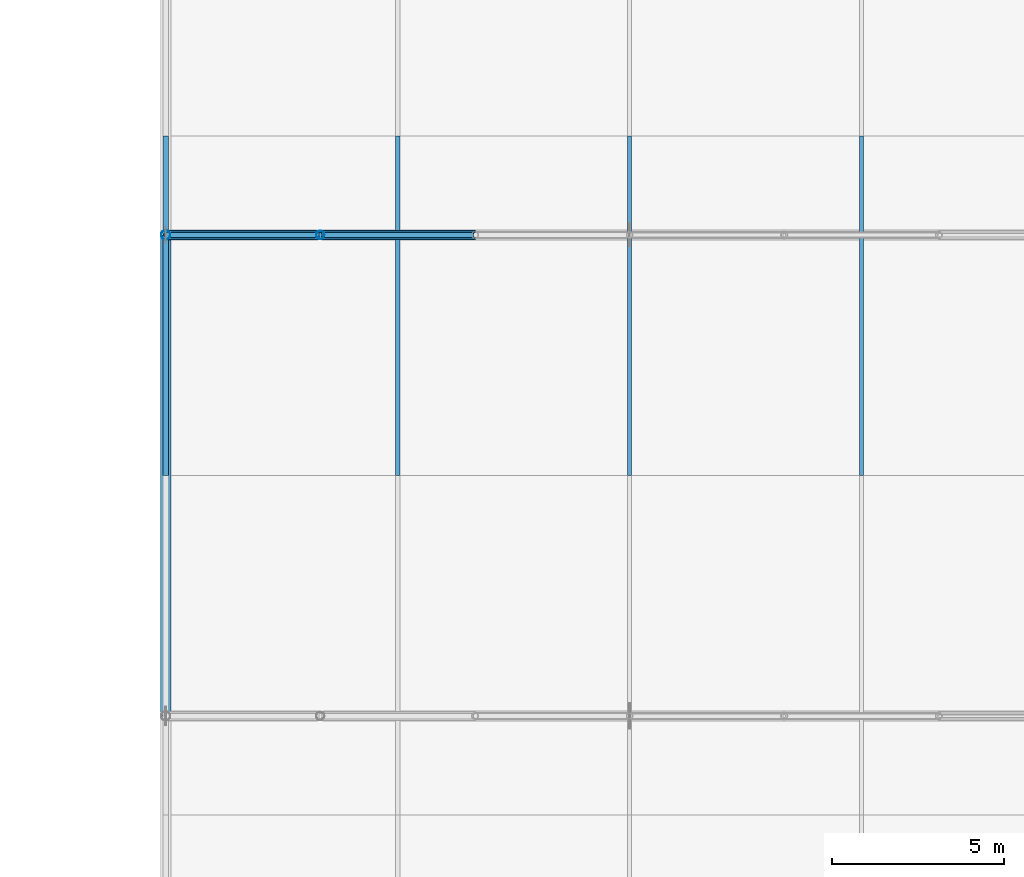
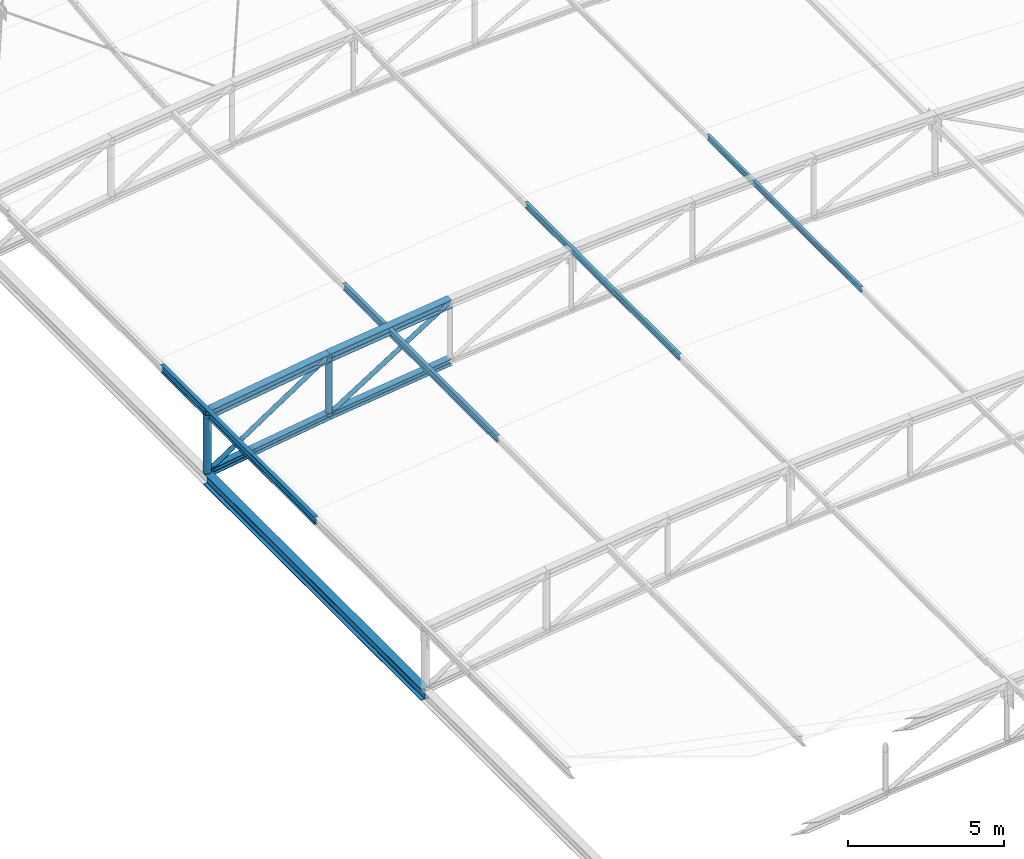
# One storey, part 162 of 262: 12 members, 1 beam.
"""IFC4 building model written with IfcOpenShell, lengths in metres."""

from ifc_helpers import new_model, si_unit, derived_unit, direction, frame, origin, origin_2d, place, context, subcontext, project, spatial, hollow_circle, i_section, extrude, material, material_profile, profile_set, type_object, element, save


model = new_model("IFC4")

# Units and contexts
model_context = context("Model", 3, precision=1e-05, world=origin(), true_north=direction((0.0, 1.0)))
body_context = subcontext(model_context, "Body", "Model", "MODEL_VIEW")
ifc_project = project(units=[si_unit("LENGTHUNIT", "METRE"), si_unit("AREAUNIT", "SQUARE_METRE"), si_unit("VOLUMEUNIT", "CUBIC_METRE"), si_unit("PLANEANGLEUNIT", "RADIAN"), si_unit("MASSUNIT", "GRAM", prefix="KILO"), derived_unit("THERMALTRANSMITTANCEUNIT", [(si_unit("POWERUNIT", "WATT"), 1), (si_unit("LENGTHUNIT", "METRE"), -2), (si_unit("THERMODYNAMICTEMPERATUREUNIT", "KELVIN"), -1)])], contexts=[model_context])

# Site, building, storey
site_placement = place(None, origin())
site = spatial("IfcSite", under=ifc_project, at=site_placement, CompositionType="ELEMENT")
building_placement = place(site_placement, origin())
building = spatial("IfcBuilding", under=site, at=building_placement, Name="Almenara Railside Exhibition Hall", CompositionType="ELEMENT")
storey_placement = place(building_placement, frame((0.0, 0.0, 21.699951171875)))
storey = spatial("IfcBuildingStorey", under=building, at=storey_placement, Name="RF", CompositionType="ELEMENT", Elevation=21.699951171875)

# Members
ifc_material = material(Name="Structural steel S355JR", Category="steel")
ifc_material_profile_1 = material_profile(ifc_material, i_section(OverallWidth=0.260009765625, OverallDepth=0.260009765625, WebThickness=0.010009765625, FlangeThickness=0.017578125, FilletRadius=0.02392578125, at=origin_2d()), Name="HEB 260")
ifc_profile_set_1 = profile_set([ifc_material_profile_1], Name="Structural steel S355JR")
member_type_1 = type_object("IfcMemberType", Name="Arched Truss Bottom Chord HEB 260 S355JR", PredefinedType="CHORD", material=ifc_profile_set_1)
member_1_placement = place(storey_placement, frame((138.0, 90.0, -9.599853515625), z_axis=(0.9890290442, 0.0, 0.147721189165), x_axis=(0.0, 1.0, 0.0)))
element("IfcMember", 1, at=member_1_placement, inside=storey, type_object=member_type_1, Name="MEM-BC-V2-04-00", PredefinedType="CHORD", context=body_context, shape_type="SweptSolid", body=[
    extrude(i_section(OverallWidth=0.260009765625, OverallDepth=0.260009765625, WebThickness=0.010009765625, FlangeThickness=0.017578125, FilletRadius=0.02392578125, at=origin_2d()), origin(), (0.0, 0.0, 1.0), 4.5498046875),
])
member_2_placement = place(storey_placement, frame((142.5, 90.0, -8.927734375), z_axis=(0.992612220818, 0.0, 0.121330041965), x_axis=(0.0, 1.0, 0.0)))
element("IfcMember", 2, at=member_2_placement, inside=storey, type_object=member_type_1, Name="MEM-BC-V2-04-01", PredefinedType="CHORD", context=body_context, shape_type="SweptSolid", body=[
    extrude(i_section(OverallWidth=0.260009765625, OverallDepth=0.260009765625, WebThickness=0.010009765625, FlangeThickness=0.017578125, FilletRadius=0.02392578125, at=origin_2d()), origin(), (0.0, 0.0, 1.0), 4.533447265625),
])
ifc_material_profile_2 = material_profile(ifc_material, i_section(OverallWidth=0.300048828125, OverallDepth=0.320068359375, WebThickness=0.011474609375, FlangeThickness=0.0205078125, FilletRadius=0.027099609375, at=origin_2d()), Name="HEB 320")
ifc_profile_set_2 = profile_set([ifc_material_profile_2], Name="Structural steel S355JR")
member_type_2 = type_object("IfcMemberType", Name="Arched Truss Top Chord HEB 320 S355JR", PredefinedType="CHORD", material=ifc_profile_set_2)
member_3_placement = place(storey_placement, frame((138.0, 90.0, -7.300048828125), z_axis=(0.989021203369, 0.0, 0.147773675894), x_axis=(0.0, 1.0, 0.0)))
element("IfcMember", 3, at=member_3_placement, inside=storey, type_object=member_type_2, Name="MEM-TC-V2-04-00", PredefinedType="CHORD", context=body_context, shape_type="SweptSolid", body=[
    extrude(i_section(OverallWidth=0.300048828125, OverallDepth=0.320068359375, WebThickness=0.011474609375, FlangeThickness=0.0205078125, FilletRadius=0.027099609375, at=origin_2d()), origin(), (0.0, 0.0, 1.0), 4.550048828125),
])
member_4_placement = place(storey_placement, frame((142.5, 90.0, -6.627685546875), z_axis=(0.992612220818, 0.0, 0.121330041965), x_axis=(0.0, 1.0, 0.0)))
element("IfcMember", 4, at=member_4_placement, inside=storey, type_object=member_type_2, Name="MEM-TC-V2-04-01", PredefinedType="CHORD", context=body_context, shape_type="SweptSolid", body=[
    extrude(i_section(OverallWidth=0.300048828125, OverallDepth=0.320068359375, WebThickness=0.011474609375, FlangeThickness=0.0205078125, FilletRadius=0.027099609375, at=origin_2d()), origin(), (0.0, 0.0, 1.0), 4.533447265625),
])
ifc_material_profile_3 = material_profile(ifc_material, i_section(OverallWidth=0.14990234375, OverallDepth=0.300048828125, WebThickness=0.007080078125, FlangeThickness=0.0107421875, FilletRadius=0.014892578125, at=origin_2d()), Name="IPE 300")
ifc_profile_set_3 = profile_set([ifc_material_profile_3], Name="Structural steel S355JR")
member_type_3 = type_object("IfcMemberType", Name="East Hall Ridge Purlin IPE 300 S355JR", PredefinedType="PURLIN", material=ifc_profile_set_3)
member_5_placement = place(storey_placement, frame((138.0, 83.0, -7.269775390625), z_axis=(0.0, 1.0, 0.0), x_axis=(-1.0, 0.0, 0.0)))
element("IfcMember", 5, at=member_5_placement, inside=storey, type_object=member_type_3, Name="MEM-PR-V2-PR-IPE300-00-14", PredefinedType="PURLIN", context=body_context, shape_type="SweptSolid", body=[
    extrude(i_section(OverallWidth=0.14990234375, OverallDepth=0.300048828125, WebThickness=0.007080078125, FlangeThickness=0.0107421875, FilletRadius=0.014892578125, at=origin_2d()), origin(), (0.0, 0.0, 1.0), 9.8798828125),
])
ifc_material_profile_4 = material_profile(ifc_material, i_section(OverallWidth=0.135009765625, OverallDepth=0.27001953125, WebThickness=0.006591796875, FlangeThickness=0.01025390625, FilletRadius=0.014892578125, at=origin_2d()), Name="IPE 270")
ifc_profile_set_4 = profile_set([ifc_material_profile_4], Name="Structural steel S355JR")
member_type_4 = type_object("IfcMemberType", Name="East Hall Standard Purlin IPE 270 S355JR", PredefinedType="PURLIN", material=ifc_profile_set_4)
member_6_placement = place(storey_placement, frame((144.75, 83.0, -6.425537109375), z_axis=(0.0, 1.0, 0.0), x_axis=(-1.0, 0.0, 0.0)))
element("IfcMember", 6, at=member_6_placement, inside=storey, type_object=member_type_4, Name="MEM-PR-V2-PR-IPE270-01-14", PredefinedType="PURLIN", context=body_context, shape_type="SweptSolid", body=[
    extrude(i_section(OverallWidth=0.135009765625, OverallDepth=0.27001953125, WebThickness=0.006591796875, FlangeThickness=0.01025390625, FilletRadius=0.014892578125, at=origin_2d()), origin(), (0.0, 0.0, 1.0), 9.8798828125),
])
ifc_material_profile_5 = material_profile(ifc_material, i_section(OverallWidth=0.110107421875, OverallDepth=0.219970703125, WebThickness=0.005859375, FlangeThickness=0.00927734375, FilletRadius=0.011962890625, at=origin_2d()), Name="IPE 220")
ifc_profile_set_5 = profile_set([ifc_material_profile_5], Name="Structural steel S355JR")
member_type_5 = type_object("IfcMemberType", Name="Heavy Hall Roof Purlin IPE 220 S355JR", PredefinedType="PURLIN", material=ifc_profile_set_5)
member_7_placement = place(storey_placement, frame((158.25, 83.0, -5.294677734375), z_axis=(0.0, 1.0, 0.0), x_axis=(-1.0, 0.0, 0.0)))
element("IfcMember", 7, at=member_7_placement, inside=storey, type_object=member_type_5, Name="MEM-PR-V2-PR-IPE220-03-14", PredefinedType="PURLIN", context=body_context, shape_type="SweptSolid", body=[
    extrude(i_section(OverallWidth=0.110107421875, OverallDepth=0.219970703125, WebThickness=0.005859375, FlangeThickness=0.00927734375, FilletRadius=0.011962890625, at=origin_2d()), origin(), (0.0, 0.0, 1.0), 9.8798828125),
])
ifc_material_profile_6 = material_profile(ifc_material, i_section(OverallWidth=0.1201171875, OverallDepth=0.239990234375, WebThickness=0.006103515625, FlangeThickness=0.009765625, FilletRadius=0.014892578125, at=origin_2d()), Name="IPE 240")
ifc_profile_set_6 = profile_set([ifc_material_profile_6], Name="Structural steel S355JR")
member_type_6 = type_object("IfcMemberType", Name="Scroll Roof Purlin IPE 240 S355JR", PredefinedType="PURLIN", material=ifc_profile_set_6)
member_8_placement = place(storey_placement, frame((151.5, 83.0, -5.582275390625), z_axis=(0.0, 1.0, 0.0), x_axis=(-1.0, 0.0, 0.0)))
element("IfcMember", 8, at=member_8_placement, inside=storey, type_object=member_type_6, Name="MEM-PR-V2-PR-IPE240-02-14", PredefinedType="PURLIN", context=body_context, shape_type="SweptSolid", body=[
    extrude(i_section(OverallWidth=0.1201171875, OverallDepth=0.239990234375, WebThickness=0.006103515625, FlangeThickness=0.009765625, FilletRadius=0.014892578125, at=origin_2d()), origin(), (0.0, 0.0, 1.0), 9.8798828125),
])

# Beam
ifc_material_profile_7 = material_profile(ifc_material, i_section(OverallWidth=0.300048828125, OverallDepth=0.449951171875, WebThickness=0.013916015625, FlangeThickness=0.02587890625, FilletRadius=0.027099609375, at=origin_2d()), Name="HEB 450")
ifc_profile_set_7 = profile_set([ifc_material_profile_7], Name="Structural steel S355JR")
beam_type = type_object("IfcBeamType", Name="Steel Roof Eaves Tie Girder HEB 450 S355JR", PredefinedType="USERDEFINED", material=ifc_profile_set_7)
beam_placement = place(storey_placement, frame((138.0, 76.0, -9.824951171875), z_axis=(0.0, 1.0, 0.0), x_axis=(-1.0, 0.0, 0.0)))
element("IfcBeam", 9, at=beam_placement, inside=storey, type_object=beam_type, Name="Beam 0981", ObjectType="GIRDER", PredefinedType="USERDEFINED", context=body_context, shape_type="SweptSolid", body=[
    extrude(i_section(OverallWidth=0.300048828125, OverallDepth=0.449951171875, WebThickness=0.013916015625, FlangeThickness=0.02587890625, FilletRadius=0.027099609375, at=origin_2d()), origin(), (0.0, 0.0, 1.0), 14.0),
])

# Members
ifc_material_profile_8 = material_profile(ifc_material, hollow_circle(Radius=0.084228515625, WallThickness=0.006103515625, at=origin_2d()), Name="CHS 168.3x6")
ifc_profile_set_8 = profile_set([ifc_material_profile_8], Name="Structural steel S355JR")
member_type_7 = type_object("IfcMemberType", Name="Truss End Diagonal CHS 168.3x6 S355JR", PredefinedType="BRACE", material=ifc_profile_set_8)
member_9_placement = place(storey_placement, frame((138.0, 90.0, -9.599853515625), z_axis=(0.834424544227, 0.0, 0.551122200598), x_axis=(0.0, 1.0, 0.0)))
element("IfcMember", 10, at=member_9_placement, inside=storey, type_object=member_type_7, Name="MEM-TD-V2-04-00", PredefinedType="BRACE", context=body_context, shape_type="SweptSolid", body=[
    extrude(hollow_circle(Radius=0.084228515625, WallThickness=0.006103515625, at=origin_2d()), origin(), (0.0, 0.0, 1.0), 5.392822265625),
])
member_10_placement = place(storey_placement, frame((142.5, 90.0, -8.927734375), z_axis=(0.844810788273, 0.0, 0.535065166141), x_axis=(0.0, 1.0, 0.0)))
element("IfcMember", 11, at=member_10_placement, inside=storey, type_object=member_type_7, Name="MEM-TD-V2-04-01", PredefinedType="BRACE", context=body_context, shape_type="SweptSolid", body=[
    extrude(hollow_circle(Radius=0.084228515625, WallThickness=0.006103515625, at=origin_2d()), origin(), (0.0, 0.0, 1.0), 5.32666015625),
])
ifc_material_profile_9 = material_profile(ifc_material, hollow_circle(Radius=0.122314453125, WallThickness=0.008056640625, at=origin_2d()), Name="CHS 244.5x8")
ifc_profile_set_9 = profile_set([ifc_material_profile_9], Name="Structural steel S355JR")
member_type_8 = type_object("IfcMemberType", Name="Truss Haunch Vertical Strut CHS 244.5x8 S355JR", PredefinedType="BRACE", material=ifc_profile_set_9)
member_11_placement = place(storey_placement, frame((142.5, 90.0, -8.927734375), z_axis=(0.0, 0.0, 1.0), x_axis=(1.0, 0.0, 0.0)))
element("IfcMember", 12, at=member_11_placement, inside=storey, type_object=member_type_8, Name="MEM-TV-V2-04-01", PredefinedType="BRACE", context=body_context, shape_type="SweptSolid", body=[
    extrude(hollow_circle(Radius=0.122314453125, WallThickness=0.008056640625, at=origin_2d()), origin(), (0.0, 0.0, 1.0), 2.300048828125),
])
ifc_material_profile_10 = material_profile(ifc_material, hollow_circle(Radius=0.136474609375, WallThickness=0.008056640625, at=origin_2d()), Name="CHS 273x8")
ifc_profile_set_10 = profile_set([ifc_material_profile_10], Name="Structural steel S355JR")
member_type_9 = type_object("IfcMemberType", Name="Truss Support Vertical Strut CHS 273x8 S355JR", PredefinedType="BRACE", material=ifc_profile_set_10)
member_12_placement = place(storey_placement, frame((138.0, 90.0, -9.599853515625), z_axis=(0.0, 0.0, 1.0), x_axis=(1.0, 0.0, 0.0)))
element("IfcMember", 13, at=member_12_placement, inside=storey, type_object=member_type_9, Name="MEM-TV-V2-04-00", PredefinedType="BRACE", context=body_context, shape_type="SweptSolid", body=[
    extrude(hollow_circle(Radius=0.136474609375, WallThickness=0.008056640625, at=origin_2d()), origin(), (0.0, 0.0, 1.0), 2.2998046875),
])

save(model, "model.ifc")
